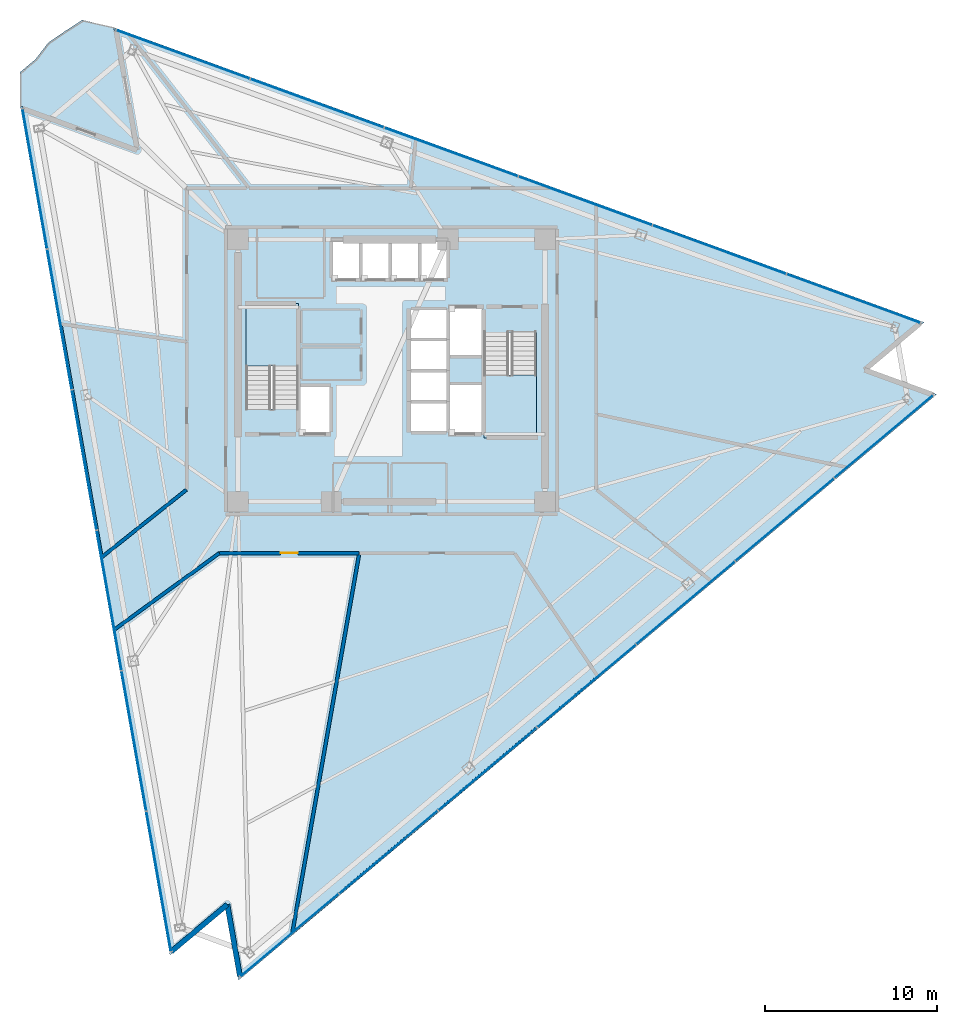
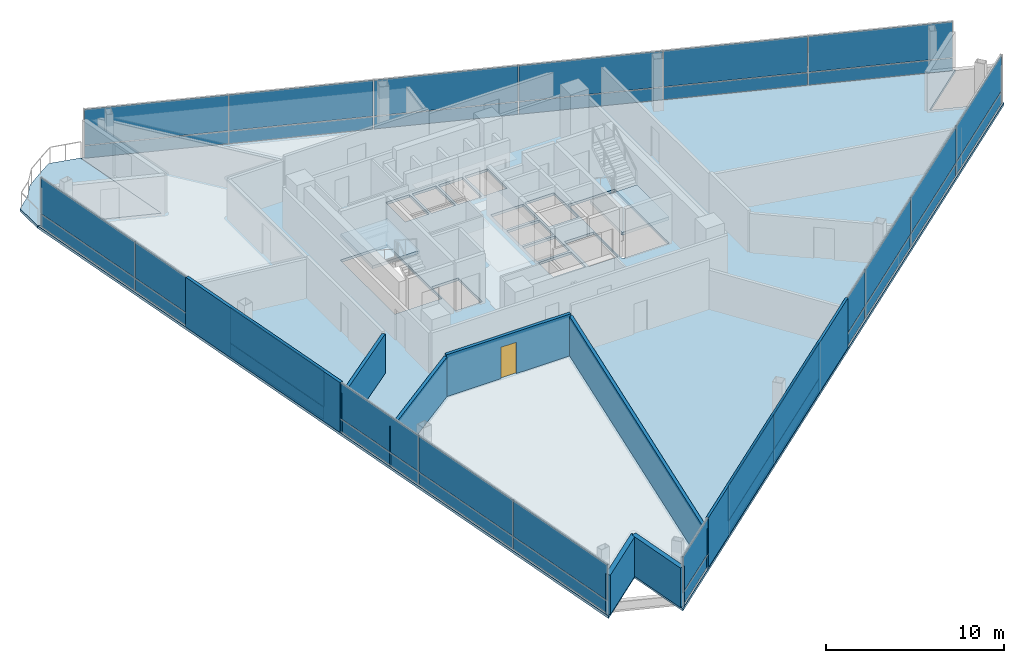
# One storey, part 9 of 16: 38 plates, 8 walls, 4 slabs, 1 door, 1 opening, 5 elements without a shape of their own.
"""IFC4 building model written with IfcOpenShell, lengths in metres."""

from ifc_helpers import new_model, si_unit, direction, frame, frame_2d, origin, origin_2d, place, context, subcontext, project, spatial, polyline, rectangle, outline, extrude, material, layer, layer_set, type_object, element, fill, aggregate, save


model = new_model("IFC4")

# Units and contexts
model_context = context("Model", 3, precision=1e-05, world=origin(), true_north=direction((0.0, 1.0)))
body_context = subcontext(model_context, "Body", "Model", "MODEL_VIEW")
ifc_project = project(units=[si_unit("LENGTHUNIT", "METRE"), si_unit("AREAUNIT", "SQUARE_METRE"), si_unit("VOLUMEUNIT", "CUBIC_METRE"), si_unit("PLANEANGLEUNIT", "RADIAN"), si_unit("MASSUNIT", "GRAM", prefix="KILO")], contexts=[model_context])

# Site, building, storey
site_placement = place(None, origin())
site = spatial("IfcSite", under=ifc_project, at=site_placement, CompositionType="ELEMENT")
building_placement = place(site_placement, origin())
building = spatial("IfcBuilding", under=site, at=building_placement, Name="Tharavind Bronze Gate", CompositionType="ELEMENT")
storey_placement = place(building_placement, frame((0.0, 0.0, 181.300048828125)))
storey = spatial("IfcBuildingStorey", under=building, at=storey_placement, Name="L46", CompositionType="ELEMENT", Elevation=181.300048828125)

# Curtain wall, plates
ifc_material_1 = material(Name="Anodised Bronze Aluminium", Category="aluminium")
ifc_layer_1 = layer(ifc_material_1, 0.219970703125)
ifc_layer_set_1 = layer_set([ifc_layer_1], Name="Anodised Bronze Aluminium")
curtain_wall_type = type_object("IfcCurtainWallType", Name="UNITISED CURTAIN WALL MID OFFICE", PredefinedType="USERDEFINED", material=ifc_layer_set_1)
curtain_wall_1_placement = place(storey_placement, origin())
curtain_wall_1 = element("IfcCurtainWall", 1, at=curtain_wall_1_placement, inside=storey, type_object=curtain_wall_type, Name="L46 unitised curtain wall mid office CW-L46-S1", ObjectType="UNITISED CURTAIN WALL", PredefinedType="USERDEFINED")
ifc_material_2 = material(Name="Patinated Bronze Alloy Sheet", Category="bronze")
ifc_layer_2 = layer(ifc_material_2, 0.01611328125)
ifc_layer_set_2 = layer_set([ifc_layer_2], Name="Patinated Bronze Alloy Sheet")
plate_type_1 = type_object("IfcPlateType", Name="BRONZE SPANDREL CLADDING PANEL 16", PredefinedType="CURTAIN_PANEL", material=ifc_layer_set_2)
plate_1_placement = place(storey_placement, frame((-20.678466796875, 11.118408203125, 0.0263671875), z_axis=(0.0, 0.0, 1.0), x_axis=(0.173648177667, -0.984807753012, 0.0)))
plate_1 = element("IfcPlate", 2, at=plate_1_placement, type_object=plate_type_1, Name="CW-L46-S1 bronze spandrel panel 1", PredefinedType="CURTAIN_PANEL", context=body_context, shape_type="SweptSolid", body=[
    extrude(rectangle(XDim=8.220458984375, YDim=0.01611328125, at=origin_2d()), origin(), (0.0, 0.0, 1.0), 0.846923828125),
])
plate_2_placement = place(storey_placement, frame((-19.24169921875, 2.970703125, 0.0263671875), z_axis=(0.0, 0.0, 1.0), x_axis=(0.173648177667, -0.984807753012, 0.0)))
plate_2 = element("IfcPlate", 3, at=plate_2_placement, type_object=plate_type_1, Name="CW-L46-S1 bronze spandrel panel 2", PredefinedType="CURTAIN_PANEL", context=body_context, shape_type="SweptSolid", body=[
    extrude(rectangle(XDim=8.220458984375, YDim=0.01611328125, at=origin_2d()), origin(), (0.0, 0.0, 1.0), 0.846923828125),
])
plate_3_placement = place(storey_placement, frame((-17.80517578125, -5.177001953125, 0.0263671875), z_axis=(0.0, 0.0, 1.0), x_axis=(0.173648177667, -0.984807753012, 0.0)))
plate_3 = element("IfcPlate", 4, at=plate_3_placement, type_object=plate_type_1, Name="CW-L46-S1 bronze spandrel panel 3", PredefinedType="CURTAIN_PANEL", context=body_context, shape_type="SweptSolid", body=[
    extrude(rectangle(XDim=8.220458984375, YDim=0.01611328125, at=origin_2d()), origin(), (0.0, 0.0, 1.0), 0.846923828125),
])
plate_4_placement = place(storey_placement, frame((-16.368408203125, -13.32470703125, 0.0263671875), z_axis=(0.0, 0.0, 1.0), x_axis=(0.173648177667, -0.984807753012, 0.0)))
plate_4 = element("IfcPlate", 5, at=plate_4_placement, type_object=plate_type_1, Name="CW-L46-S1 bronze spandrel panel 4", PredefinedType="CURTAIN_PANEL", context=body_context, shape_type="SweptSolid", body=[
    extrude(rectangle(XDim=8.220458984375, YDim=0.01611328125, at=origin_2d()), origin(), (0.0, 0.0, 1.0), 0.846923828125),
])
plate_5_placement = place(storey_placement, frame((-14.931884765625, -21.472412109375, 0.0263671875), z_axis=(0.0, 0.0, 1.0), x_axis=(0.173648177667, -0.984807753012, 0.0)))
plate_5 = element("IfcPlate", 6, at=plate_5_placement, type_object=plate_type_1, Name="CW-L46-S1 bronze spandrel panel 5", PredefinedType="CURTAIN_PANEL", context=body_context, shape_type="SweptSolid", body=[
    extrude(rectangle(XDim=8.220458984375, YDim=0.01611328125, at=origin_2d()), origin(), (0.0, 0.0, 1.0), 0.846923828125),
])
plate_6_placement = place(storey_placement, frame((-13.4951171875, -29.6201171875, 0.0263671875), z_axis=(0.0, 0.0, 1.0), x_axis=(0.173648177667, -0.984807753012, 0.0)))
plate_6 = element("IfcPlate", 7, at=plate_6_placement, type_object=plate_type_1, Name="CW-L46-S1 bronze spandrel panel 6", PredefinedType="CURTAIN_PANEL", context=body_context, shape_type="SweptSolid", body=[
    extrude(rectangle(XDim=8.220458984375, YDim=0.01611328125, at=origin_2d()), origin(), (0.0, 0.0, 1.0), 0.846923828125),
])

curtain_wall_2_placement = place(storey_placement, origin())
curtain_wall_2 = element("IfcCurtainWall", 8, at=curtain_wall_2_placement, inside=storey, type_object=curtain_wall_type, Name="L46 unitised curtain wall mid office CW-L46-S2", ObjectType="UNITISED CURTAIN WALL", PredefinedType="USERDEFINED")
plate_7_placement = place(storey_placement, frame((-5.913818359375, -32.737548828125, 0.0263671875), z_axis=(0.0, 0.0, 1.0), x_axis=(0.766043321242, 0.642788946685, 0.0)))
plate_7 = element("IfcPlate", 9, at=plate_7_placement, type_object=plate_type_1, Name="CW-L46-S2 bronze spandrel panel 1", PredefinedType="CURTAIN_PANEL", context=body_context, shape_type="SweptSolid", body=[
    extrude(rectangle(XDim=7.443115234375, YDim=0.01611328125, at=origin_2d()), origin(), (0.0, 0.0, 1.0), 0.846923828125),
])
plate_8_placement = place(storey_placement, frame((-0.171630859375, -27.919189453125, 0.0263671875), z_axis=(0.0, 0.0, 1.0), x_axis=(0.766043321242, 0.642788946685, 0.0)))
plate_8 = element("IfcPlate", 10, at=plate_8_placement, type_object=plate_type_1, Name="CW-L46-S2 bronze spandrel panel 2", PredefinedType="CURTAIN_PANEL", context=body_context, shape_type="SweptSolid", body=[
    extrude(rectangle(XDim=7.443115234375, YDim=0.01611328125, at=origin_2d()), origin(), (0.0, 0.0, 1.0), 0.846923828125),
])
plate_9_placement = place(storey_placement, frame((5.57080078125, -23.100830078125, 0.0263671875), z_axis=(0.0, 0.0, 1.0), x_axis=(0.766043321242, 0.642788946685, 0.0)))
plate_9 = element("IfcPlate", 11, at=plate_9_placement, type_object=plate_type_1, Name="CW-L46-S2 bronze spandrel panel 3", PredefinedType="CURTAIN_PANEL", context=body_context, shape_type="SweptSolid", body=[
    extrude(rectangle(XDim=7.443115234375, YDim=0.01611328125, at=origin_2d()), origin(), (0.0, 0.0, 1.0), 0.846923828125),
])
plate_10_placement = place(storey_placement, frame((11.31298828125, -18.282470703125, 0.0263671875), z_axis=(0.0, 0.0, 1.0), x_axis=(0.766043321242, 0.642788946685, 0.0)))
plate_10 = element("IfcPlate", 12, at=plate_10_placement, type_object=plate_type_1, Name="CW-L46-S2 bronze spandrel panel 4", PredefinedType="CURTAIN_PANEL", context=body_context, shape_type="SweptSolid", body=[
    extrude(rectangle(XDim=7.443115234375, YDim=0.01611328125, at=origin_2d()), origin(), (0.0, 0.0, 1.0), 0.846923828125),
])
plate_11_placement = place(storey_placement, frame((17.055419921875, -13.464111328125, 0.0263671875), z_axis=(0.0, 0.0, 1.0), x_axis=(0.766043321242, 0.642788946685, 0.0)))
plate_11 = element("IfcPlate", 13, at=plate_11_placement, type_object=plate_type_1, Name="CW-L46-S2 bronze spandrel panel 5", PredefinedType="CURTAIN_PANEL", context=body_context, shape_type="SweptSolid", body=[
    extrude(rectangle(XDim=7.443115234375, YDim=0.01611328125, at=origin_2d()), origin(), (0.0, 0.0, 1.0), 0.846923828125),
])
plate_12_placement = place(storey_placement, frame((22.797607421875, -8.645751953125, 0.0263671875), z_axis=(0.0, 0.0, 1.0), x_axis=(0.766043321242, 0.642788946685, 0.0)))
plate_12 = element("IfcPlate", 14, at=plate_12_placement, type_object=plate_type_1, Name="CW-L46-S2 bronze spandrel panel 6", PredefinedType="CURTAIN_PANEL", context=body_context, shape_type="SweptSolid", body=[
    extrude(rectangle(XDim=7.443115234375, YDim=0.01611328125, at=origin_2d()), origin(), (0.0, 0.0, 1.0), 0.846923828125),
])
plate_13_placement = place(storey_placement, frame((28.539794921875, -3.827392578125, 0.0263671875), z_axis=(0.0, 0.0, 1.0), x_axis=(0.766043321242, 0.642788946685, 0.0)))
plate_13 = element("IfcPlate", 15, at=plate_13_placement, type_object=plate_type_1, Name="CW-L46-S2 bronze spandrel panel 7", PredefinedType="CURTAIN_PANEL", context=body_context, shape_type="SweptSolid", body=[
    extrude(rectangle(XDim=7.443115234375, YDim=0.01611328125, at=origin_2d()), origin(), (0.0, 0.0, 1.0), 0.846923828125),
])

curtain_wall_3_placement = place(storey_placement, origin())
curtain_wall_3 = element("IfcCurtainWall", 16, at=curtain_wall_3_placement, inside=storey, type_object=curtain_wall_type, Name="L46 unitised curtain wall mid office CW-L46-S3", ObjectType="UNITISED CURTAIN WALL", PredefinedType="USERDEFINED")
plate_14_placement = place(storey_placement, frame((26.7861328125, 4.18017578125, 0.0263671875), z_axis=(0.0, 0.0, 1.0), x_axis=(-0.939692023847, 0.342021783398, 0.0)))
plate_14 = element("IfcPlate", 17, at=plate_14_placement, type_object=plate_type_1, Name="CW-L46-S3 bronze spandrel panel 1", PredefinedType="CURTAIN_PANEL", context=body_context, shape_type="SweptSolid", body=[
    extrude(rectangle(XDim=8.220458984375, YDim=0.01611328125, at=origin_2d()), origin(), (0.0, 0.0, 1.0), 0.846923828125),
])
plate_15_placement = place(storey_placement, frame((19.01171875, 7.009765625, 0.0263671875), z_axis=(0.0, 0.0, 1.0), x_axis=(-0.939692023847, 0.342021783398, 0.0)))
plate_15 = element("IfcPlate", 18, at=plate_15_placement, type_object=plate_type_1, Name="CW-L46-S3 bronze spandrel panel 2", PredefinedType="CURTAIN_PANEL", context=body_context, shape_type="SweptSolid", body=[
    extrude(rectangle(XDim=8.220458984375, YDim=0.01611328125, at=origin_2d()), origin(), (0.0, 0.0, 1.0), 0.846923828125),
])
plate_16_placement = place(storey_placement, frame((11.2373046875, 9.839599609375, 0.0263671875), z_axis=(0.0, 0.0, 1.0), x_axis=(-0.939692023847, 0.342021783398, 0.0)))
plate_16 = element("IfcPlate", 19, at=plate_16_placement, type_object=plate_type_1, Name="CW-L46-S3 bronze spandrel panel 3", PredefinedType="CURTAIN_PANEL", context=body_context, shape_type="SweptSolid", body=[
    extrude(rectangle(XDim=8.220458984375, YDim=0.01611328125, at=origin_2d()), origin(), (0.0, 0.0, 1.0), 0.846923828125),
])
plate_17_placement = place(storey_placement, frame((3.462890625, 12.669189453125, 0.0263671875), z_axis=(0.0, 0.0, 1.0), x_axis=(-0.939692023847, 0.342021783398, 0.0)))
plate_17 = element("IfcPlate", 20, at=plate_17_placement, type_object=plate_type_1, Name="CW-L46-S3 bronze spandrel panel 4", PredefinedType="CURTAIN_PANEL", context=body_context, shape_type="SweptSolid", body=[
    extrude(rectangle(XDim=8.220458984375, YDim=0.01611328125, at=origin_2d()), origin(), (0.0, 0.0, 1.0), 0.846923828125),
])
plate_18_placement = place(storey_placement, frame((-4.3115234375, 15.498779296875, 0.0263671875), z_axis=(0.0, 0.0, 1.0), x_axis=(-0.939692023847, 0.342021783398, 0.0)))
plate_18 = element("IfcPlate", 21, at=plate_18_placement, type_object=plate_type_1, Name="CW-L46-S3 bronze spandrel panel 5", PredefinedType="CURTAIN_PANEL", context=body_context, shape_type="SweptSolid", body=[
    extrude(rectangle(XDim=8.220458984375, YDim=0.01611328125, at=origin_2d()), origin(), (0.0, 0.0, 1.0), 0.846923828125),
])
plate_19_placement = place(storey_placement, frame((-12.0859375, 18.32861328125, 0.0263671875), z_axis=(0.0, 0.0, 1.0), x_axis=(-0.939692023847, 0.342021783398, 0.0)))
plate_19 = element("IfcPlate", 22, at=plate_19_placement, type_object=plate_type_1, Name="CW-L46-S3 bronze spandrel panel 6", PredefinedType="CURTAIN_PANEL", context=body_context, shape_type="SweptSolid", body=[
    extrude(rectangle(XDim=8.220458984375, YDim=0.01611328125, at=origin_2d()), origin(), (0.0, 0.0, 1.0), 0.846923828125),
])

# Slab
ifc_material_3 = material(Name="Concrete C40/50", Category="concrete")
ifc_layer_3 = layer(ifc_material_3, 0.179931640625)
ifc_layer_set_3 = layer_set([ifc_layer_3], Name="Concrete C40/50")
slab_type_1 = type_object("IfcSlabType", Name="EXTERIOR BALCONY SLAB 180", PredefinedType="FLOOR", material=ifc_layer_set_3)
slab_1_placement = place(storey_placement, frame((0.0, 0.0, -0.179931640625)))
element("IfcSlab", 23, at=slab_1_placement, inside=storey, type_object=slab_type_1, Name="L46 northeast tree balcony slab", PredefinedType="FLOOR", context=body_context, shape_type="SweptSolid", body=[
    extrude(outline(polyline([(-17.92333984375, 20.325927734375), (-18.92236328125, 19.680908203125), (-19.8984375, 19.00830078125), (-20.635009765625, 18.050537109375), (-21.5390625, 17.2919921875), (-21.525390625, 15.345458984375), (-14.872314453125, 12.924072265625), (-16.101806640625, 19.896484375), (-17.92333984375, 20.325927734375)])), origin(), (0.0, 0.0, 1.0), 0.179931640625),
])

# Stair, slab
stair_type = type_object("IfcStairType", Name="CORE HALF TURN STAIR 1450", PredefinedType="HALF_TURN_STAIR", material=ifc_material_3)
stair_1_placement = place(storey_placement, origin())
stair_1 = element("IfcStair", 24, at=stair_1_placement, inside=storey, type_object=stair_type, Name="L46 Protected Exit Stair ST1", PredefinedType="HALF_TURN_STAIR")
ifc_layer_4 = layer(ifc_material_3, 0.199951171875)
ifc_layer_set_4 = layer_set([ifc_layer_4], Name="Concrete C40/50")
slab_type_2 = type_object("IfcSlabType", Name="STAIR LANDING SLAB 200", PredefinedType="LANDING", material=ifc_layer_set_4)
slab_2_placement = place(storey_placement, frame((0.0, 0.0, 1.599853515625)))
slab_2 = element("IfcSlab", 25, at=slab_2_placement, type_object=slab_type_2, Name="ST1 landing 1", PredefinedType="LANDING", context=body_context, shape_type="SweptSolid", body=[
    extrude(outline(polyline([(-5.39990234375, 0.27001953125), (-5.39990234375, 3.89990234375), (-8.449951171875, 3.89990234375), (-8.449951171875, 0.27001953125), (-5.39990234375, 0.27001953125)])), origin(), (0.0, 0.0, 1.0), 0.2001953125),
])
aggregate(stair_1, [slab_2])

stair_2_placement = place(storey_placement, origin())
stair_2 = element("IfcStair", 26, at=stair_2_placement, inside=storey, type_object=stair_type, Name="L46 Protected Exit Stair ST2", PredefinedType="HALF_TURN_STAIR")
slab_3_placement = place(storey_placement, frame((0.0, 0.0, 1.599853515625)))
slab_3 = element("IfcSlab", 27, at=slab_3_placement, type_object=slab_type_2, Name="ST2 landing 1", PredefinedType="LANDING", context=body_context, shape_type="SweptSolid", body=[
    extrude(outline(polyline([(5.35009765625, -0.27001953125), (5.35009765625, -3.89990234375), (8.39990234375, -3.89990234375), (8.39990234375, -0.27001953125), (5.35009765625, -0.27001953125)])), origin(), (0.0, 0.0, 1.0), 0.2001953125),
])
aggregate(stair_2, [slab_3])

# Slab
ifc_layer_5 = layer(ifc_material_3, 0.179931640625)
ifc_layer_set_5 = layer_set([ifc_layer_5], Name="Concrete C40/50")
slab_type_3 = type_object("IfcSlabType", Name="STRUCTURAL FLOOR SLAB 180", PredefinedType="FLOOR", material=ifc_layer_set_5)
slab_4_placement = place(storey_placement, frame((0.0, 0.0, -0.179931640625)))
element("IfcSlab", 28, at=slab_4_placement, inside=storey, type_object=slab_type_3, Name="L46 main structural floor slab", PredefinedType="FLOOR", context=body_context, shape_type="SweptSolid", body=[
    extrude(outline(polyline([(-16.101806640625, 19.896484375), (-14.872314453125, 12.924072265625), (-21.525390625, 15.345458984375), (-12.84521484375, -33.881591796875), (-9.591064453125, -31.151123046875), (-8.853515625, -35.334716796875), (31.60791015625, -1.38330078125), (27.6162109375, 0.069580078125), (30.870361328125, 2.800048828125), (-16.101806640625, 19.896484375)]), holes=[polyline([(-5.39990234375, -2.215087890625), (-5.39990234375, 3.89990234375), (-8.449951171875, 3.89990234375), (-8.449951171875, -2.215087890625), (-5.39990234375, -2.215087890625)]), polyline([(5.35009765625, 2.215087890625), (5.35009765625, -3.89990234375), (8.39990234375, -3.89990234375), (8.39990234375, 2.215087890625), (5.35009765625, 2.215087890625)]), polyline([(-3.419921875, 5.330078125), (-1.867431640625, 5.330078125), (-1.867431640625, 7.52001953125), (-3.419921875, 7.52001953125), (-3.419921875, 5.330078125)]), polyline([(-1.70751953125, 5.330078125), (-0.155029296875, 5.330078125), (-0.155029296875, 7.52001953125), (-1.70751953125, 7.52001953125), (-1.70751953125, 5.330078125)]), polyline([(0.0048828125, 5.330078125), (1.5576171875, 5.330078125), (1.5576171875, 7.52001953125), (0.0048828125, 7.52001953125), (0.0048828125, 5.330078125)]), polyline([(1.717529296875, 5.330078125), (3.199951171875, 5.330078125), (3.199951171875, 7.52001953125), (1.717529296875, 7.52001953125), (1.717529296875, 5.330078125)]), polyline([(1.080078125, -3.52001953125), (3.199951171875, -3.52001953125), (3.199951171875, -1.8798828125), (1.080078125, -1.8798828125), (1.080078125, -3.52001953125)]), polyline([(1.080078125, -1.719970703125), (3.199951171875, -1.719970703125), (3.199951171875, -0.080078125), (1.080078125, -0.080078125), (1.080078125, -1.719970703125)]), polyline([(1.080078125, 0.080078125), (3.199951171875, 0.080078125), (3.199951171875, 1.719970703125), (1.080078125, 1.719970703125), (1.080078125, 0.080078125)]), polyline([(1.080078125, 1.8798828125), (3.199951171875, 1.8798828125), (3.199951171875, 3.52001953125), (1.080078125, 3.52001953125), (1.080078125, 1.8798828125)]), polyline([(-5.320068359375, -3.6201171875), (-3.580078125, -3.6201171875), (-3.580078125, -0.929931640625), (-5.320068359375, -0.929931640625), (-5.320068359375, -3.6201171875)]), polyline([(3.360107421875, 0.8798828125), (5.27001953125, 0.8798828125), (5.27001953125, 3.6201171875), (3.360107421875, 3.6201171875), (3.360107421875, 0.8798828125)]), polyline([(3.360107421875, -3.6201171875), (5.27001953125, -3.6201171875), (5.27001953125, -0.830078125), (3.360107421875, -0.830078125), (3.360107421875, -3.6201171875)])]), origin(), (0.0, 0.0, 1.0), 0.179931640625),
])

# Plate
ifc_material_4 = material(Name="Triple Solar Control Glazing", Category="glass")
ifc_layer_6 = layer(ifc_material_4, 0.0439453125)
ifc_layer_set_6 = layer_set([ifc_layer_6], Name="Triple Solar Control Glazing")
plate_type_2 = type_object("IfcPlateType", Name="TRIPLE GLAZED FACADE PANEL 44", PredefinedType="CURTAIN_PANEL", material=ifc_layer_set_6)
plate_20_placement = place(storey_placement, frame((-20.678466796875, 11.118408203125, 0.92626953125), z_axis=(0.0, 0.0, 1.0), x_axis=(0.173648177667, -0.984807753012, 0.0)))
plate_20 = element("IfcPlate", 29, at=plate_20_placement, type_object=plate_type_2, Name="CW-L46-S1 vision glazing panel 1", PredefinedType="CURTAIN_PANEL", context=body_context, shape_type="SweptSolid", body=[
    extrude(rectangle(XDim=8.220458984375, YDim=0.0439453125, at=origin_2d()), origin(), (0.0, 0.0, 1.0), 2.467041015625),
])

plate_21_placement = place(storey_placement, frame((-19.24169921875, 2.970703125, 0.92626953125), z_axis=(0.0, 0.0, 1.0), x_axis=(0.173648177667, -0.984807753012, 0.0)))
plate_21 = element("IfcPlate", 30, at=plate_21_placement, type_object=plate_type_2, Name="CW-L46-S1 vision glazing panel 2", PredefinedType="CURTAIN_PANEL", context=body_context, shape_type="SweptSolid", body=[
    extrude(rectangle(XDim=8.220458984375, YDim=0.0439453125, at=origin_2d()), origin(), (0.0, 0.0, 1.0), 2.467041015625),
])

plate_22_placement = place(storey_placement, frame((-17.80517578125, -5.177001953125, 0.92626953125), z_axis=(0.0, 0.0, 1.0), x_axis=(0.173648177667, -0.984807753012, 0.0)))
plate_22 = element("IfcPlate", 31, at=plate_22_placement, type_object=plate_type_2, Name="CW-L46-S1 vision glazing panel 3", PredefinedType="CURTAIN_PANEL", context=body_context, shape_type="SweptSolid", body=[
    extrude(rectangle(XDim=8.220458984375, YDim=0.0439453125, at=origin_2d()), origin(), (0.0, 0.0, 1.0), 2.467041015625),
])

plate_23_placement = place(storey_placement, frame((-16.368408203125, -13.32470703125, 0.92626953125), z_axis=(0.0, 0.0, 1.0), x_axis=(0.173648177667, -0.984807753012, 0.0)))
plate_23 = element("IfcPlate", 32, at=plate_23_placement, type_object=plate_type_2, Name="CW-L46-S1 vision glazing panel 4", PredefinedType="CURTAIN_PANEL", context=body_context, shape_type="SweptSolid", body=[
    extrude(rectangle(XDim=8.220458984375, YDim=0.0439453125, at=origin_2d()), origin(), (0.0, 0.0, 1.0), 2.467041015625),
])

plate_24_placement = place(storey_placement, frame((-14.931884765625, -21.472412109375, 0.92626953125), z_axis=(0.0, 0.0, 1.0), x_axis=(0.173648177667, -0.984807753012, 0.0)))
plate_24 = element("IfcPlate", 33, at=plate_24_placement, type_object=plate_type_2, Name="CW-L46-S1 vision glazing panel 5", PredefinedType="CURTAIN_PANEL", context=body_context, shape_type="SweptSolid", body=[
    extrude(rectangle(XDim=8.220458984375, YDim=0.0439453125, at=origin_2d()), origin(), (0.0, 0.0, 1.0), 2.467041015625),
])

plate_25_placement = place(storey_placement, frame((-13.4951171875, -29.6201171875, 0.92626953125), z_axis=(0.0, 0.0, 1.0), x_axis=(0.173648177667, -0.984807753012, 0.0)))
plate_25 = element("IfcPlate", 34, at=plate_25_placement, type_object=plate_type_2, Name="CW-L46-S1 vision glazing panel 6", PredefinedType="CURTAIN_PANEL", context=body_context, shape_type="SweptSolid", body=[
    extrude(rectangle(XDim=8.220458984375, YDim=0.0439453125, at=origin_2d()), origin(), (0.0, 0.0, 1.0), 2.467041015625),
])

aggregate(curtain_wall_1, [plate_1, plate_20, plate_2, plate_21, plate_3, plate_22, plate_4, plate_23, plate_5, plate_24, plate_6, plate_25])

plate_26_placement = place(storey_placement, frame((-5.913818359375, -32.737548828125, 0.92626953125), z_axis=(0.0, 0.0, 1.0), x_axis=(0.766043321242, 0.642788946685, 0.0)))
plate_26 = element("IfcPlate", 35, at=plate_26_placement, type_object=plate_type_2, Name="CW-L46-S2 vision glazing panel 1", PredefinedType="CURTAIN_PANEL", context=body_context, shape_type="SweptSolid", body=[
    extrude(rectangle(XDim=7.443115234375, YDim=0.0439453125, at=origin_2d()), origin(), (0.0, 0.0, 1.0), 2.467041015625),
])

plate_27_placement = place(storey_placement, frame((-0.171630859375, -27.919189453125, 0.92626953125), z_axis=(0.0, 0.0, 1.0), x_axis=(0.766043321242, 0.642788946685, 0.0)))
plate_27 = element("IfcPlate", 36, at=plate_27_placement, type_object=plate_type_2, Name="CW-L46-S2 vision glazing panel 2", PredefinedType="CURTAIN_PANEL", context=body_context, shape_type="SweptSolid", body=[
    extrude(rectangle(XDim=7.443115234375, YDim=0.0439453125, at=origin_2d()), origin(), (0.0, 0.0, 1.0), 2.467041015625),
])

plate_28_placement = place(storey_placement, frame((5.57080078125, -23.100830078125, 0.92626953125), z_axis=(0.0, 0.0, 1.0), x_axis=(0.766043321242, 0.642788946685, 0.0)))
plate_28 = element("IfcPlate", 37, at=plate_28_placement, type_object=plate_type_2, Name="CW-L46-S2 vision glazing panel 3", PredefinedType="CURTAIN_PANEL", context=body_context, shape_type="SweptSolid", body=[
    extrude(rectangle(XDim=7.443115234375, YDim=0.0439453125, at=origin_2d()), origin(), (0.0, 0.0, 1.0), 2.467041015625),
])

plate_29_placement = place(storey_placement, frame((11.31298828125, -18.282470703125, 0.92626953125), z_axis=(0.0, 0.0, 1.0), x_axis=(0.766043321242, 0.642788946685, 0.0)))
plate_29 = element("IfcPlate", 38, at=plate_29_placement, type_object=plate_type_2, Name="CW-L46-S2 vision glazing panel 4", PredefinedType="CURTAIN_PANEL", context=body_context, shape_type="SweptSolid", body=[
    extrude(rectangle(XDim=7.443115234375, YDim=0.0439453125, at=origin_2d()), origin(), (0.0, 0.0, 1.0), 2.467041015625),
])

plate_30_placement = place(storey_placement, frame((17.055419921875, -13.464111328125, 0.92626953125), z_axis=(0.0, 0.0, 1.0), x_axis=(0.766043321242, 0.642788946685, 0.0)))
plate_30 = element("IfcPlate", 39, at=plate_30_placement, type_object=plate_type_2, Name="CW-L46-S2 vision glazing panel 5", PredefinedType="CURTAIN_PANEL", context=body_context, shape_type="SweptSolid", body=[
    extrude(rectangle(XDim=7.443115234375, YDim=0.0439453125, at=origin_2d()), origin(), (0.0, 0.0, 1.0), 2.467041015625),
])

plate_31_placement = place(storey_placement, frame((22.797607421875, -8.645751953125, 0.92626953125), z_axis=(0.0, 0.0, 1.0), x_axis=(0.766043321242, 0.642788946685, 0.0)))
plate_31 = element("IfcPlate", 40, at=plate_31_placement, type_object=plate_type_2, Name="CW-L46-S2 vision glazing panel 6", PredefinedType="CURTAIN_PANEL", context=body_context, shape_type="SweptSolid", body=[
    extrude(rectangle(XDim=7.443115234375, YDim=0.0439453125, at=origin_2d()), origin(), (0.0, 0.0, 1.0), 2.467041015625),
])

plate_32_placement = place(storey_placement, frame((28.539794921875, -3.827392578125, 0.92626953125), z_axis=(0.0, 0.0, 1.0), x_axis=(0.766043321242, 0.642788946685, 0.0)))
plate_32 = element("IfcPlate", 41, at=plate_32_placement, type_object=plate_type_2, Name="CW-L46-S2 vision glazing panel 7", PredefinedType="CURTAIN_PANEL", context=body_context, shape_type="SweptSolid", body=[
    extrude(rectangle(XDim=7.443115234375, YDim=0.0439453125, at=origin_2d()), origin(), (0.0, 0.0, 1.0), 2.467041015625),
])

aggregate(curtain_wall_2, [plate_7, plate_26, plate_8, plate_27, plate_9, plate_28, plate_10, plate_29, plate_11, plate_30, plate_12, plate_31, plate_13, plate_32])

plate_33_placement = place(storey_placement, frame((26.7861328125, 4.18017578125, 0.92626953125), z_axis=(0.0, 0.0, 1.0), x_axis=(-0.939692023847, 0.342021783398, 0.0)))
plate_33 = element("IfcPlate", 42, at=plate_33_placement, type_object=plate_type_2, Name="CW-L46-S3 vision glazing panel 1", PredefinedType="CURTAIN_PANEL", context=body_context, shape_type="SweptSolid", body=[
    extrude(rectangle(XDim=8.220458984375, YDim=0.0439453125, at=origin_2d()), origin(), (0.0, 0.0, 1.0), 2.467041015625),
])

plate_34_placement = place(storey_placement, frame((19.01171875, 7.009765625, 0.92626953125), z_axis=(0.0, 0.0, 1.0), x_axis=(-0.939692023847, 0.342021783398, 0.0)))
plate_34 = element("IfcPlate", 43, at=plate_34_placement, type_object=plate_type_2, Name="CW-L46-S3 vision glazing panel 2", PredefinedType="CURTAIN_PANEL", context=body_context, shape_type="SweptSolid", body=[
    extrude(rectangle(XDim=8.220458984375, YDim=0.0439453125, at=origin_2d()), origin(), (0.0, 0.0, 1.0), 2.467041015625),
])

plate_35_placement = place(storey_placement, frame((11.2373046875, 9.839599609375, 0.92626953125), z_axis=(0.0, 0.0, 1.0), x_axis=(-0.939692023847, 0.342021783398, 0.0)))
plate_35 = element("IfcPlate", 44, at=plate_35_placement, type_object=plate_type_2, Name="CW-L46-S3 vision glazing panel 3", PredefinedType="CURTAIN_PANEL", context=body_context, shape_type="SweptSolid", body=[
    extrude(rectangle(XDim=8.220458984375, YDim=0.0439453125, at=origin_2d()), origin(), (0.0, 0.0, 1.0), 2.467041015625),
])

plate_36_placement = place(storey_placement, frame((3.462890625, 12.669189453125, 0.92626953125), z_axis=(0.0, 0.0, 1.0), x_axis=(-0.939692023847, 0.342021783398, 0.0)))
plate_36 = element("IfcPlate", 45, at=plate_36_placement, type_object=plate_type_2, Name="CW-L46-S3 vision glazing panel 4", PredefinedType="CURTAIN_PANEL", context=body_context, shape_type="SweptSolid", body=[
    extrude(rectangle(XDim=8.220458984375, YDim=0.0439453125, at=origin_2d()), origin(), (0.0, 0.0, 1.0), 2.467041015625),
])

plate_37_placement = place(storey_placement, frame((-4.3115234375, 15.498779296875, 0.92626953125), z_axis=(0.0, 0.0, 1.0), x_axis=(-0.939692023847, 0.342021783398, 0.0)))
plate_37 = element("IfcPlate", 46, at=plate_37_placement, type_object=plate_type_2, Name="CW-L46-S3 vision glazing panel 5", PredefinedType="CURTAIN_PANEL", context=body_context, shape_type="SweptSolid", body=[
    extrude(rectangle(XDim=8.220458984375, YDim=0.0439453125, at=origin_2d()), origin(), (0.0, 0.0, 1.0), 2.467041015625),
])

plate_38_placement = place(storey_placement, frame((-12.0859375, 18.32861328125, 0.92626953125), z_axis=(0.0, 0.0, 1.0), x_axis=(-0.939692023847, 0.342021783398, 0.0)))
plate_38 = element("IfcPlate", 47, at=plate_38_placement, type_object=plate_type_2, Name="CW-L46-S3 vision glazing panel 6", PredefinedType="CURTAIN_PANEL", context=body_context, shape_type="SweptSolid", body=[
    extrude(rectangle(XDim=8.220458984375, YDim=0.0439453125, at=origin_2d()), origin(), (0.0, 0.0, 1.0), 2.467041015625),
])

aggregate(curtain_wall_3, [plate_14, plate_33, plate_15, plate_34, plate_16, plate_35, plate_17, plate_36, plate_18, plate_37, plate_19, plate_38])

# Walls
ifc_layer_7 = layer(ifc_material_3, 0.300048828125)
ifc_layer_set_7 = layer_set([ifc_layer_7], Name="Concrete C40/50")
wall_type_1 = type_object("IfcWallType", Name="EXTERIOR SPANDREL WALL 300", PredefinedType="STANDARD", material=ifc_layer_set_7)
for number, where, z_axis, x_axis, name in (
    (48, (-12.77685546875, -33.69384765625, 0.0), (0.0, 0.0, 1.0), (0.766026302848, 0.6428092278, 0.0), "L46 notch cheek wall 2A"),
    (49, (-9.522705078125, -30.963134765625, 0.0), (0.0, 0.0, 1.0), (0.173673864443, -0.984803223395, 0.0), "L46 notch cheek wall 2B"),
):
    element("IfcWall", number, at=place(storey_placement, frame(where, z_axis=z_axis, x_axis=x_axis)), inside=storey, type_object=wall_type_1, Name=name, PredefinedType="STANDARD", context=body_context, shape_type="SweptSolid", body=[
        extrude(rectangle(XDim=4.248046875, YDim=0.300048828125, at=frame_2d((2.1240234375, 0.0))), origin(), (0.0, 0.0, 1.0), 2.71484375),
    ])
ifc_material_5 = material(Name="Aerated Concrete Block", Category="concrete")
ifc_layer_8 = layer(ifc_material_5, 0.199951171875)
ifc_layer_set_8 = layer_set([ifc_layer_8], Name="Aerated Concrete Block")
wall_type_2 = type_object("IfcWallType", Name="FIRE RATED PARTITION 200", PredefinedType="PARTITIONING", material=ifc_layer_set_8)
wall_1_placement = place(storey_placement, frame((-11.889404296875, -6.910888671875, 0.0), z_axis=(0.0, 0.0, 1.0), x_axis=(-0.782381746657, -0.622799167066, 0.0)))
element("IfcWall", 50, at=wall_1_placement, inside=storey, type_object=wall_type_2, Name="L46 Public Restrooms Block partition", PredefinedType="PARTITIONING", context=body_context, shape_type="SweptSolid", body=[
    extrude(rectangle(XDim=6.287841796875, YDim=0.199951171875, at=frame_2d((3.14404296875, 0.0))), origin(), (0.0, 0.0, 1.0), 2.71484375),
])
wall_2_placement = place(storey_placement, frame((-16.82958984375, -10.709228515625, 0.0), z_axis=(0.0, 0.0, 1.0), x_axis=(-0.173641964803, 0.984808848487, 0.0)))
element("IfcWall", 51, at=wall_2_placement, inside=storey, type_object=wall_type_2, Name="L46 Public Restrooms Block partition", PredefinedType="PARTITIONING", context=body_context, shape_type="SweptSolid", body=[
    extrude(rectangle(XDim=13.503173828125, YDim=0.199951171875, at=frame_2d((6.75146484375, 0.0))), origin(), (0.0, 0.0, 1.0), 3.419921875),
])
wall_3_placement = place(storey_placement, frame((-5.747802734375, -32.598388671875, 0.0), z_axis=(0.0, 0.0, 1.0), x_axis=(0.17364192413, 0.984808855659, 0.0)))
element("IfcWall", 52, at=wall_3_placement, inside=storey, type_object=wall_type_2, Name="L46 Public Restrooms Block partition", PredefinedType="PARTITIONING", context=body_context, shape_type="SweptSolid", body=[
    extrude(rectangle(XDim=22.337158203125, YDim=0.199951171875, at=frame_2d((11.16845703125, 0.0))), origin(), (0.0, 0.0, 1.0), 2.71484375),
])
wall_4_placement = place(storey_placement, frame((-16.06884765625, -15.023681640625, 0.0), z_axis=(0.0, 0.0, 1.0), x_axis=(0.807835167635, 0.589408467815, 0.0)))
element("IfcWall", 53, at=wall_4_placement, inside=storey, type_object=wall_type_2, Name="L46 Portfolio Trading Office partition", PredefinedType="PARTITIONING", context=body_context, shape_type="SweptSolid", body=[
    extrude(rectangle(XDim=7.53125, YDim=0.199951171875, at=frame_2d((3.765625, 0.0))), origin(), (0.0, 0.0, 1.0), 2.71484375),
])

# Wall, opening, door
wall_5_placement = place(storey_placement, frame((-9.969970703125, -10.580078125, 0.0), z_axis=(0.0, 0.0, 1.0), x_axis=(1.0, 0.0, 0.0)))
wall_5 = element("IfcWall", 54, at=wall_5_placement, inside=storey, type_object=wall_type_2, Name="L46 Portfolio Trading Office partition", PredefinedType="PARTITIONING", context=body_context, shape_type="SweptSolid", body=[
    extrude(rectangle(XDim=8.07470703125, YDim=0.199951171875, at=frame_2d((4.037353515625, 0.0))), origin(), (0.0, 0.0, 1.0), 2.864990234375),
])
opening_placement = place(wall_5_placement, frame((3.537109375, 0.0, 0.0)))
opening = element("IfcOpeningElement", 55, at=opening_placement, cuts=wall_5, Name="Opening ID04", PredefinedType="OPENING", context=body_context, shape_type="SweptSolid", body=[
    extrude(rectangle(XDim=1.0, YDim=2.14990234375, at=frame_2d((0.5, 1.074951171875))), frame((0.0, 0.11009765625, 0.0), z_axis=(0.0, -1.0, 0.0), x_axis=(1.0, 0.0, 0.0)), (0.0, 0.0, 1.0), 0.219951171875),
])
ifc_material_6 = material(Name="Bronze Framed Acoustic Timber", Category="wood")
door_type = type_object("IfcDoorType", Name="OFFICE TENANCY DOOR 1000X2150", OperationType="SINGLE_SWING_RIGHT", PredefinedType="DOOR", material=ifc_material_6)
door_placement = place(opening_placement, origin())
door = element("IfcDoor", 56, at=door_placement, inside=storey, type_object=door_type, Name="L46 Portfolio Trading Office door", OperationType="SINGLE_SWING_RIGHT", OverallHeight=2.14990234375, OverallWidth=1.0, PredefinedType="DOOR", context=body_context, shape_type="SweptSolid", body=[
    extrude(rectangle(XDim=1.0, YDim=2.14990234375, at=frame_2d((0.5, 1.074951171875))), frame((0.0, 0.02490234375, 0.0), z_axis=(0.0, -1.0, 0.0), x_axis=(1.0, 0.0, 0.0)), (0.0, 0.0, 1.0), 0.050048828125),
])
fill(opening, door)

# Wall
ifc_material_7 = material(Name="Twin Stud Acoustic Gypsum", Category="gypsum")
ifc_layer_9 = layer(ifc_material_7, 0.14990234375)
ifc_layer_set_9 = layer_set([ifc_layer_9], Name="Twin Stud Acoustic Gypsum")
wall_type_3 = type_object("IfcWallType", Name="INTERIOR PARTITION WALL 150", PredefinedType="PARTITIONING", material=ifc_layer_set_9)
wall_6_placement = place(storey_placement, frame((11.9462890625, -17.751220703125, 0.0), z_axis=(0.0, 0.0, 1.0), x_axis=(-0.76604510754, -0.64278681786, 0.0)))
element("IfcWall", 57, at=wall_6_placement, inside=storey, type_object=wall_type_3, Name="L46 Public Restrooms Block partition", PredefinedType="PARTITIONING", context=body_context, shape_type="SweptSolid", body=[
    extrude(rectangle(XDim=22.934814453125, YDim=0.14990234375, at=frame_2d((11.46728515625, 0.0))), origin(), (0.0, 0.0, 1.0), 3.419921875),
])

save(model, "model.ifc")
